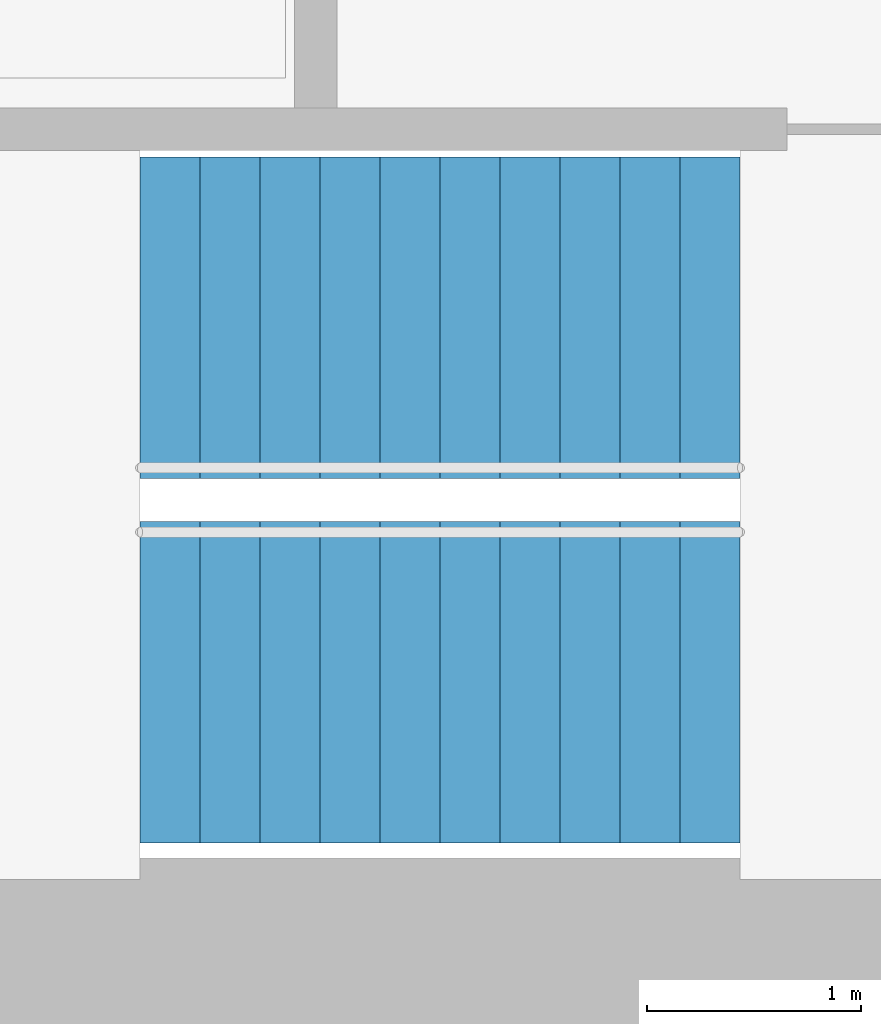
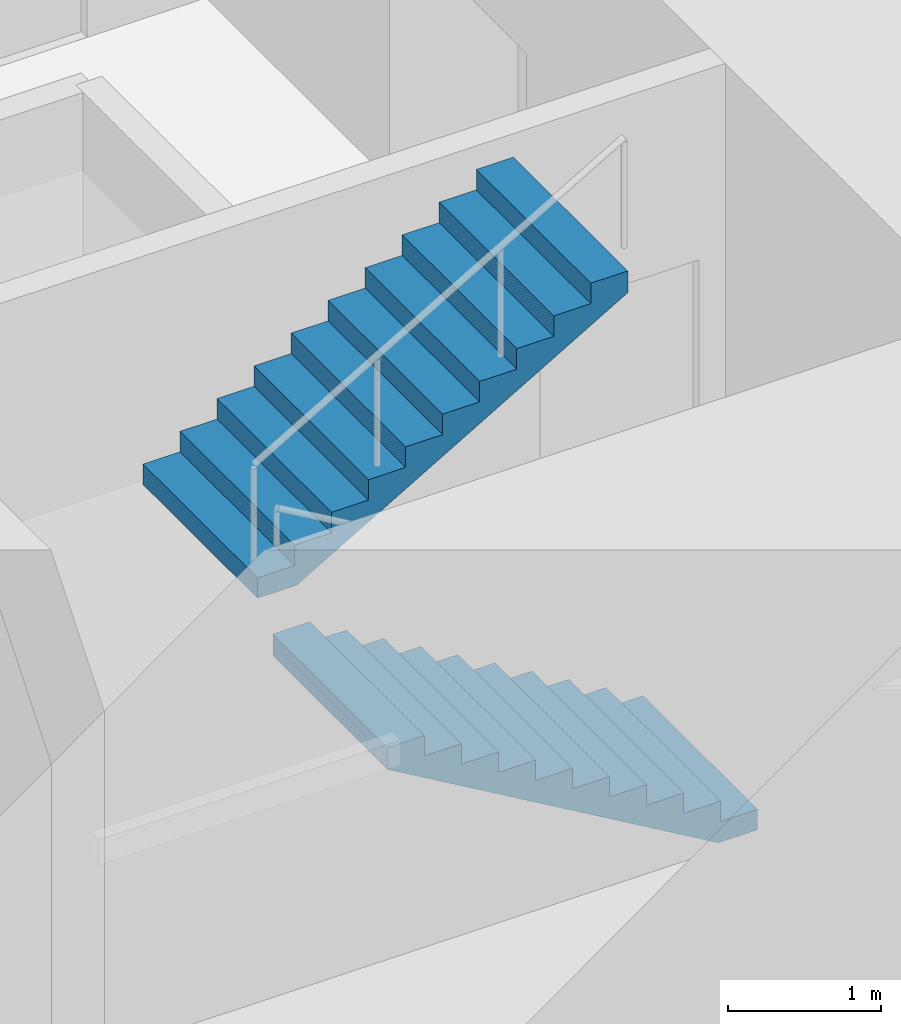
# One storey, part 14 of 15: 2 stair flights, 1 element without a shape of its own.
"""IFC4 building model written with IfcOpenShell, lengths in metres."""

from ifc_helpers import new_model, si_unit, direction, frame, origin, place, context, subcontext, project, spatial, triangles, material, type_object, element, aggregate, save


model = new_model("IFC4")

# Units and contexts
model_context = context("Model", 3, precision=1e-05, world=origin(), true_north=direction((0.0, 1.0)))
body_context = subcontext(model_context, "Body", "Model", "MODEL_VIEW")
ifc_project = project(units=[si_unit("LENGTHUNIT", "METRE"), si_unit("AREAUNIT", "SQUARE_METRE"), si_unit("VOLUMEUNIT", "CUBIC_METRE"), si_unit("PLANEANGLEUNIT", "RADIAN"), si_unit("MASSUNIT", "GRAM", prefix="KILO")], contexts=[model_context])

# Site, building, storey
site_placement = place(None, origin())
site = spatial("IfcSite", under=ifc_project, at=site_placement, CompositionType="ELEMENT")
building_placement = place(site_placement, origin())
building = spatial("IfcBuilding", under=site, at=building_placement, Name="Lantaw Convention Tower", CompositionType="ELEMENT")
storey_placement = place(building_placement, frame((0.0, 0.0, 91.0)))
storey = spatial("IfcBuildingStorey", under=building, at=storey_placement, Name="L21", CompositionType="ELEMENT", Elevation=91.0)

# Stair, stair flights
ifc_material = material(Name="Concrete C35/45", Category="concrete")
stair_type = type_object("IfcStairType", Name="Exit stair 1500 riser 163.64 in 2 flights", PredefinedType="HALF_TURN_STAIR", material=ifc_material)
stair_placement = place(storey_placement, origin())
stair = element("IfcStair", 1, at=stair_placement, inside=storey, type_object=stair_type, Name="Exit stair S2 L21", PredefinedType="HALF_TURN_STAIR")
stair_flight_type = type_object("IfcStairFlightType", Name="Stair flight 1500 riser 163.64", PredefinedType="STRAIGHT", material=ifc_material)
stair_flight_1_placement = place(storey_placement, frame((10.580078125, -5.97998046875, 0.0), z_axis=(0.0, 0.0, 1.0), x_axis=(-1.0, 0.0, 0.0)))
stair_flight_1 = element("IfcStairFlight", 2, at=stair_flight_1_placement, type_object=stair_flight_type, Name="S2 flight 1", NumberOfRisers=11, NumberOfTreads=10, PredefinedType="STRAIGHT", RiserHeight=0.163636364, TreadLength=0.28, context=body_context, shape_type="Tessellation", body=[
    triangles([(0.0, 0.75, 0.0), (0.0, 0.75, 0.163636364), (0.28, 0.75, 0.0), (0.28, 0.75, 0.163636364), (0.28, 0.75, 0.327272728), (0.2970904571225277, 0.75, 0.0), (0.2970904571225277, 0.75, 0.327272728), (0.56, 0.75, 0.1536484344906131), (0.56, 0.75, 0.327272728), (0.56, 0.75, 0.490909092), (0.8400000000000001, 0.75, 0.3172847984906131), (0.8400000000000001, 0.75, 0.490909092), (0.8400000000000001, 0.75, 0.654545456), (1.12, 0.75, 0.4809211624906131), (1.12, 0.75, 0.654545456), (1.12, 0.75, 0.8181818200000001), (1.4000000000000001, 0.75, 0.6445575264906132), (1.4000000000000001, 0.75, 0.8181818200000001), (1.4000000000000001, 0.75, 0.981818184), (1.6800000000000002, 0.75, 0.8081938904906131), (1.6800000000000002, 0.75, 0.981818184), (1.6800000000000002, 0.75, 1.145454548), (1.9600000000000002, 0.75, 0.9718302544906131), (1.9600000000000002, 0.75, 1.145454548), (1.9600000000000002, 0.75, 1.309090912), (2.24, 0.75, 1.135466618490613), (2.24, 0.75, 1.309090912), (2.24, 0.75, 1.472727276), (2.5200000000000005, 0.75, 1.2991029824906133), (2.5200000000000005, 0.75, 1.472727276), (2.5200000000000005, 0.75, 1.6363636400000001), (2.8000000000000003, 0.75, 1.462739346490613), (2.8000000000000003, 0.75, 1.6363636400000001), (0.0, -0.75, 0.0), (0.0, -0.75, 0.163636364), (0.28, -0.75, 0.0), (0.28, -0.75, 0.163636364), (0.28, -0.75, 0.327272728), (0.2970904571225277, -0.75, 0.0), (0.2970904571225277, -0.75, 0.327272728), (0.56, -0.75, 0.1536484344906131), (0.56, -0.75, 0.327272728), (0.56, -0.75, 0.490909092), (0.8400000000000001, -0.75, 0.3172847984906131), (0.8400000000000001, -0.75, 0.490909092), (0.8400000000000001, -0.75, 0.654545456), (1.12, -0.75, 0.4809211624906131), (1.12, -0.75, 0.654545456), (1.12, -0.75, 0.8181818200000001), (1.4000000000000001, -0.75, 0.6445575264906132), (1.4000000000000001, -0.75, 0.8181818200000001), (1.4000000000000001, -0.75, 0.981818184), (1.6800000000000002, -0.75, 0.8081938904906131), (1.6800000000000002, -0.75, 0.981818184), (1.6800000000000002, -0.75, 1.145454548), (1.9600000000000002, -0.75, 0.9718302544906131), (1.9600000000000002, -0.75, 1.145454548), (1.9600000000000002, -0.75, 1.309090912), (2.24, -0.75, 1.135466618490613), (2.24, -0.75, 1.309090912), (2.24, -0.75, 1.472727276), (2.5200000000000005, -0.75, 1.2991029824906133), (2.5200000000000005, -0.75, 1.472727276), (2.5200000000000005, -0.75, 1.6363636400000001), (2.8000000000000003, -0.75, 1.462739346490613), (2.8000000000000003, -0.75, 1.6363636400000001), (0.0, 0.15000000000000002, 0.163636364), (0.0, 0.15000000000000002, 0.0), (0.0, 0.0, 0.163636364), (0.0, 0.0, 0.0), (0.0, -0.15000000000000002, 0.163636364), (0.0, -0.15000000000000002, 0.0), (0.28, 0.15000000000000002, 0.327272728), (0.28, 0.15000000000000002, 0.163636364), (0.28, 0.0, 0.327272728), (0.28, 0.0, 0.163636364), (0.28, -0.15000000000000002, 0.327272728), (0.28, -0.15000000000000002, 0.163636364), (0.56, 0.15000000000000002, 0.490909092), (0.56, 0.15000000000000002, 0.327272728), (0.56, 0.0, 0.490909092), (0.56, 0.0, 0.327272728), (0.56, -0.15000000000000002, 0.490909092), (0.56, -0.15000000000000002, 0.327272728), (0.8400000000000001, 0.15000000000000002, 0.654545456), (0.8400000000000001, 0.15000000000000002, 0.490909092), (0.8400000000000001, 0.0, 0.654545456), (0.8400000000000001, 0.0, 0.490909092), (0.8400000000000001, -0.15000000000000002, 0.654545456), (0.8400000000000001, -0.15000000000000002, 0.490909092), (1.12, 0.15000000000000002, 0.8181818200000001), (1.12, 0.15000000000000002, 0.654545456), (1.12, 0.0, 0.8181818200000001), (1.12, 0.0, 0.654545456), (1.12, -0.15000000000000002, 0.8181818200000001), (1.12, -0.15000000000000002, 0.654545456), (1.4000000000000001, 0.15000000000000002, 0.981818184), (1.4000000000000001, 0.15000000000000002, 0.8181818200000001), (1.4000000000000001, 0.0, 0.981818184), (1.4000000000000001, 0.0, 0.8181818200000001), (1.4000000000000001, -0.15000000000000002, 0.981818184), (1.4000000000000001, -0.15000000000000002, 0.8181818200000001), (1.6800000000000002, 0.15000000000000002, 1.145454548), (1.6800000000000002, 0.15000000000000002, 0.981818184), (1.6800000000000002, 0.0, 1.145454548), (1.6800000000000002, 0.0, 0.981818184), (1.6800000000000002, -0.15000000000000002, 1.145454548), (1.6800000000000002, -0.15000000000000002, 0.981818184), (1.9600000000000002, 0.15000000000000002, 1.309090912), (1.9600000000000002, 0.15000000000000002, 1.145454548), (1.9600000000000002, 0.0, 1.309090912), (1.9600000000000002, 0.0, 1.145454548), (1.9600000000000002, -0.15000000000000002, 1.309090912), (1.9600000000000002, -0.15000000000000002, 1.145454548), (2.24, 0.15000000000000002, 1.472727276), (2.24, 0.15000000000000002, 1.309090912), (2.24, 0.0, 1.472727276), (2.24, 0.0, 1.309090912), (2.24, -0.15000000000000002, 1.472727276), (2.24, -0.15000000000000002, 1.309090912), (2.5200000000000005, 0.15000000000000002, 1.6363636400000001), (2.5200000000000005, 0.15000000000000002, 1.472727276), (2.5200000000000005, 0.0, 1.6363636400000001), (2.5200000000000005, 0.0, 1.472727276), (2.5200000000000005, -0.15000000000000002, 1.6363636400000001), (2.5200000000000005, -0.15000000000000002, 1.472727276), (0.2970904571225277, 0.15000000000000002, 0.327272728), (0.2970904571225277, 0.0, 0.327272728), (0.2970904571225277, -0.15000000000000002, 0.327272728), (2.8000000000000003, 0.15000000000000002, 1.6363636400000001), (2.8000000000000003, 0.0, 1.6363636400000001), (2.8000000000000003, -0.15000000000000002, 1.6363636400000001), (2.8000000000000003, 0.15000000000000002, 1.462739346490613), (2.8000000000000003, 0.0, 1.462739346490613), (2.8000000000000003, -0.15000000000000002, 1.462739346490613), (2.5200000000000005, 0.15000000000000002, 1.2991029824906133), (2.5200000000000005, 0.0, 1.2991029824906133), (2.5200000000000005, -0.15000000000000002, 1.2991029824906133), (2.24, 0.15000000000000002, 1.135466618490613), (2.24, 0.0, 1.135466618490613), (2.24, -0.15000000000000002, 1.135466618490613), (1.9600000000000002, 0.15000000000000002, 0.9718302544906131), (1.9600000000000002, 0.0, 0.9718302544906131), (1.9600000000000002, -0.15000000000000002, 0.9718302544906131), (1.6800000000000002, 0.15000000000000002, 0.8081938904906131), (1.6800000000000002, 0.0, 0.8081938904906131), (1.6800000000000002, -0.15000000000000002, 0.8081938904906131), (1.4000000000000001, 0.15000000000000002, 0.6445575264906132), (1.4000000000000001, 0.0, 0.6445575264906132), (1.4000000000000001, -0.15000000000000002, 0.6445575264906132), (1.12, 0.15000000000000002, 0.4809211624906131), (1.12, 0.0, 0.4809211624906131), (1.12, -0.15000000000000002, 0.4809211624906131), (0.8400000000000001, 0.15000000000000002, 0.3172847984906131), (0.8400000000000001, 0.0, 0.3172847984906131), (0.8400000000000001, -0.15000000000000002, 0.3172847984906131), (0.56, 0.15000000000000002, 0.1536484344906131), (0.56, 0.0, 0.1536484344906131), (0.56, -0.15000000000000002, 0.1536484344906131), (0.2970904571225277, 0.15000000000000002, 0.0), (0.2970904571225277, 0.0, 0.0), (0.2970904571225277, -0.15000000000000002, 0.0), (0.28, 0.15000000000000002, 0.0), (0.28, 0.0, 0.0), (0.28, -0.15000000000000002, 0.0)], [[1, 4, 3], [1, 2, 4], [3, 4, 6], [4, 7, 6], [4, 5, 7], [6, 9, 8], [6, 7, 9], [8, 9, 11], [9, 12, 11], [9, 10, 12], [11, 12, 14], [12, 15, 14], [12, 13, 15], [14, 15, 17], [15, 18, 17], [15, 16, 18], [17, 18, 20], [18, 21, 20], [18, 19, 21], [20, 21, 23], [21, 24, 23], [21, 22, 24], [23, 24, 26], [24, 27, 26], [24, 25, 27], [26, 27, 29], [27, 30, 29], [27, 28, 30], [29, 30, 32], [30, 33, 32], [30, 31, 33], [34, 36, 37], [34, 37, 35], [36, 39, 37], [37, 39, 40], [37, 40, 38], [39, 41, 42], [39, 42, 40], [41, 44, 42], [42, 44, 45], [42, 45, 43], [44, 47, 45], [45, 47, 48], [45, 48, 46], [47, 50, 48], [48, 50, 51], [48, 51, 49], [50, 53, 51], [51, 53, 54], [51, 54, 52], [53, 56, 54], [54, 56, 57], [54, 57, 55], [56, 59, 57], [57, 59, 60], [57, 60, 58], [59, 62, 60], [60, 62, 63], [60, 63, 61], [62, 65, 63], [63, 65, 66], [63, 66, 64], [1, 67, 2], [1, 68, 67], [68, 69, 67], [68, 70, 69], [70, 71, 69], [70, 72, 71], [72, 35, 71], [72, 34, 35], [4, 73, 5], [4, 74, 73], [74, 75, 73], [74, 76, 75], [76, 77, 75], [76, 78, 77], [78, 38, 77], [78, 37, 38], [9, 79, 10], [9, 80, 79], [80, 81, 79], [80, 82, 81], [82, 83, 81], [82, 84, 83], [84, 43, 83], [84, 42, 43], [12, 85, 13], [12, 86, 85], [86, 87, 85], [86, 88, 87], [88, 89, 87], [88, 90, 89], [90, 46, 89], [90, 45, 46], [15, 91, 16], [15, 92, 91], [92, 93, 91], [92, 94, 93], [94, 95, 93], [94, 96, 95], [96, 49, 95], [96, 48, 49], [18, 97, 19], [18, 98, 97], [98, 99, 97], [98, 100, 99], [100, 101, 99], [100, 102, 101], [102, 52, 101], [102, 51, 52], [21, 103, 22], [21, 104, 103], [104, 105, 103], [104, 106, 105], [106, 107, 105], [106, 108, 107], [108, 55, 107], [108, 54, 55], [24, 109, 25], [24, 110, 109], [110, 111, 109], [110, 112, 111], [112, 113, 111], [112, 114, 113], [114, 58, 113], [114, 57, 58], [27, 115, 28], [27, 116, 115], [116, 117, 115], [116, 118, 117], [118, 119, 117], [118, 120, 119], [120, 61, 119], [120, 60, 61], [30, 121, 31], [30, 122, 121], [122, 123, 121], [122, 124, 123], [124, 125, 123], [124, 126, 125], [126, 64, 125], [126, 63, 64], [2, 74, 4], [2, 67, 74], [67, 76, 74], [67, 69, 76], [69, 78, 76], [69, 71, 78], [71, 37, 78], [71, 35, 37], [5, 127, 7], [5, 73, 127], [73, 128, 127], [73, 75, 128], [75, 129, 128], [75, 77, 129], [77, 40, 129], [77, 38, 40], [7, 80, 9], [7, 127, 80], [127, 82, 80], [127, 128, 82], [128, 84, 82], [128, 129, 84], [129, 42, 84], [129, 40, 42], [10, 86, 12], [10, 79, 86], [79, 88, 86], [79, 81, 88], [81, 90, 88], [81, 83, 90], [83, 45, 90], [83, 43, 45], [13, 92, 15], [13, 85, 92], [85, 94, 92], [85, 87, 94], [87, 96, 94], [87, 89, 96], [89, 48, 96], [89, 46, 48], [16, 98, 18], [16, 91, 98], [91, 100, 98], [91, 93, 100], [93, 102, 100], [93, 95, 102], [95, 51, 102], [95, 49, 51], [19, 104, 21], [19, 97, 104], [97, 106, 104], [97, 99, 106], [99, 108, 106], [99, 101, 108], [101, 54, 108], [101, 52, 54], [22, 110, 24], [22, 103, 110], [103, 112, 110], [103, 105, 112], [105, 114, 112], [105, 107, 114], [107, 57, 114], [107, 55, 57], [25, 116, 27], [25, 109, 116], [109, 118, 116], [109, 111, 118], [111, 120, 118], [111, 113, 120], [113, 60, 120], [113, 58, 60], [28, 122, 30], [28, 115, 122], [115, 124, 122], [115, 117, 124], [117, 126, 124], [117, 119, 126], [119, 63, 126], [119, 61, 63], [31, 130, 33], [31, 121, 130], [121, 131, 130], [121, 123, 131], [123, 132, 131], [123, 125, 132], [125, 66, 132], [125, 64, 66], [33, 133, 32], [33, 130, 133], [130, 134, 133], [130, 131, 134], [131, 135, 134], [131, 132, 135], [132, 65, 135], [132, 66, 65], [32, 136, 29], [32, 133, 136], [133, 137, 136], [133, 134, 137], [134, 138, 137], [134, 135, 138], [135, 62, 138], [135, 65, 62], [29, 139, 26], [29, 136, 139], [136, 140, 139], [136, 137, 140], [137, 141, 140], [137, 138, 141], [138, 59, 141], [138, 62, 59], [26, 142, 23], [26, 139, 142], [139, 143, 142], [139, 140, 143], [140, 144, 143], [140, 141, 144], [141, 56, 144], [141, 59, 56], [23, 145, 20], [23, 142, 145], [142, 146, 145], [142, 143, 146], [143, 147, 146], [143, 144, 147], [144, 53, 147], [144, 56, 53], [20, 148, 17], [20, 145, 148], [145, 149, 148], [145, 146, 149], [146, 150, 149], [146, 147, 150], [147, 50, 150], [147, 53, 50], [17, 151, 14], [17, 148, 151], [148, 152, 151], [148, 149, 152], [149, 153, 152], [149, 150, 153], [150, 47, 153], [150, 50, 47], [14, 154, 11], [14, 151, 154], [151, 155, 154], [151, 152, 155], [152, 156, 155], [152, 153, 156], [153, 44, 156], [153, 47, 44], [11, 157, 8], [11, 154, 157], [154, 158, 157], [154, 155, 158], [155, 159, 158], [155, 156, 159], [156, 41, 159], [156, 44, 41], [8, 160, 6], [8, 157, 160], [157, 161, 160], [157, 158, 161], [158, 162, 161], [158, 159, 162], [159, 39, 162], [159, 41, 39], [6, 163, 3], [6, 160, 163], [160, 164, 163], [160, 161, 164], [161, 165, 164], [161, 162, 165], [162, 36, 165], [162, 39, 36], [3, 68, 1], [3, 163, 68], [163, 70, 68], [163, 164, 70], [164, 72, 70], [164, 165, 72], [165, 34, 72], [165, 36, 34]], closed=True),
])
stair_flight_2_placement = place(storey_placement, frame((7.780029296875, -4.280029296875, 1.800048828125), z_axis=(0.0, 0.0, 1.0), x_axis=(1.0, 0.0, 0.0)))
stair_flight_2 = element("IfcStairFlight", 3, at=stair_flight_2_placement, type_object=stair_flight_type, Name="S2 flight 2", NumberOfRisers=11, NumberOfTreads=10, PredefinedType="STRAIGHT", RiserHeight=0.163636364, TreadLength=0.28, context=body_context, shape_type="Tessellation", body=[
    triangles([(0.0, 0.75, 0.0), (0.0, 0.75, 0.163636364), (0.28, 0.75, 0.0), (0.28, 0.75, 0.163636364), (0.28, 0.75, 0.327272728), (0.2970904571225277, 0.75, 0.0), (0.2970904571225277, 0.75, 0.327272728), (0.56, 0.75, 0.1536484344906131), (0.56, 0.75, 0.327272728), (0.56, 0.75, 0.490909092), (0.8400000000000001, 0.75, 0.3172847984906131), (0.8400000000000001, 0.75, 0.490909092), (0.8400000000000001, 0.75, 0.654545456), (1.12, 0.75, 0.4809211624906131), (1.12, 0.75, 0.654545456), (1.12, 0.75, 0.8181818200000001), (1.4000000000000001, 0.75, 0.6445575264906132), (1.4000000000000001, 0.75, 0.8181818200000001), (1.4000000000000001, 0.75, 0.981818184), (1.6800000000000002, 0.75, 0.8081938904906131), (1.6800000000000002, 0.75, 0.981818184), (1.6800000000000002, 0.75, 1.145454548), (1.9600000000000002, 0.75, 0.9718302544906131), (1.9600000000000002, 0.75, 1.145454548), (1.9600000000000002, 0.75, 1.309090912), (2.24, 0.75, 1.135466618490613), (2.24, 0.75, 1.309090912), (2.24, 0.75, 1.472727276), (2.5200000000000005, 0.75, 1.2991029824906133), (2.5200000000000005, 0.75, 1.472727276), (2.5200000000000005, 0.75, 1.6363636400000001), (2.8000000000000003, 0.75, 1.462739346490613), (2.8000000000000003, 0.75, 1.6363636400000001), (0.0, -0.75, 0.0), (0.0, -0.75, 0.163636364), (0.28, -0.75, 0.0), (0.28, -0.75, 0.163636364), (0.28, -0.75, 0.327272728), (0.2970904571225277, -0.75, 0.0), (0.2970904571225277, -0.75, 0.327272728), (0.56, -0.75, 0.1536484344906131), (0.56, -0.75, 0.327272728), (0.56, -0.75, 0.490909092), (0.8400000000000001, -0.75, 0.3172847984906131), (0.8400000000000001, -0.75, 0.490909092), (0.8400000000000001, -0.75, 0.654545456), (1.12, -0.75, 0.4809211624906131), (1.12, -0.75, 0.654545456), (1.12, -0.75, 0.8181818200000001), (1.4000000000000001, -0.75, 0.6445575264906132), (1.4000000000000001, -0.75, 0.8181818200000001), (1.4000000000000001, -0.75, 0.981818184), (1.6800000000000002, -0.75, 0.8081938904906131), (1.6800000000000002, -0.75, 0.981818184), (1.6800000000000002, -0.75, 1.145454548), (1.9600000000000002, -0.75, 0.9718302544906131), (1.9600000000000002, -0.75, 1.145454548), (1.9600000000000002, -0.75, 1.309090912), (2.24, -0.75, 1.135466618490613), (2.24, -0.75, 1.309090912), (2.24, -0.75, 1.472727276), (2.5200000000000005, -0.75, 1.2991029824906133), (2.5200000000000005, -0.75, 1.472727276), (2.5200000000000005, -0.75, 1.6363636400000001), (2.8000000000000003, -0.75, 1.462739346490613), (2.8000000000000003, -0.75, 1.6363636400000001), (0.0, 0.15000000000000002, 0.163636364), (0.0, 0.15000000000000002, 0.0), (0.0, 0.0, 0.163636364), (0.0, 0.0, 0.0), (0.0, -0.15000000000000002, 0.163636364), (0.0, -0.15000000000000002, 0.0), (0.28, 0.15000000000000002, 0.327272728), (0.28, 0.15000000000000002, 0.163636364), (0.28, 0.0, 0.327272728), (0.28, 0.0, 0.163636364), (0.28, -0.15000000000000002, 0.327272728), (0.28, -0.15000000000000002, 0.163636364), (0.56, 0.15000000000000002, 0.490909092), (0.56, 0.15000000000000002, 0.327272728), (0.56, 0.0, 0.490909092), (0.56, 0.0, 0.327272728), (0.56, -0.15000000000000002, 0.490909092), (0.56, -0.15000000000000002, 0.327272728), (0.8400000000000001, 0.15000000000000002, 0.654545456), (0.8400000000000001, 0.15000000000000002, 0.490909092), (0.8400000000000001, 0.0, 0.654545456), (0.8400000000000001, 0.0, 0.490909092), (0.8400000000000001, -0.15000000000000002, 0.654545456), (0.8400000000000001, -0.15000000000000002, 0.490909092), (1.12, 0.15000000000000002, 0.8181818200000001), (1.12, 0.15000000000000002, 0.654545456), (1.12, 0.0, 0.8181818200000001), (1.12, 0.0, 0.654545456), (1.12, -0.15000000000000002, 0.8181818200000001), (1.12, -0.15000000000000002, 0.654545456), (1.4000000000000001, 0.15000000000000002, 0.981818184), (1.4000000000000001, 0.15000000000000002, 0.8181818200000001), (1.4000000000000001, 0.0, 0.981818184), (1.4000000000000001, 0.0, 0.8181818200000001), (1.4000000000000001, -0.15000000000000002, 0.981818184), (1.4000000000000001, -0.15000000000000002, 0.8181818200000001), (1.6800000000000002, 0.15000000000000002, 1.145454548), (1.6800000000000002, 0.15000000000000002, 0.981818184), (1.6800000000000002, 0.0, 1.145454548), (1.6800000000000002, 0.0, 0.981818184), (1.6800000000000002, -0.15000000000000002, 1.145454548), (1.6800000000000002, -0.15000000000000002, 0.981818184), (1.9600000000000002, 0.15000000000000002, 1.309090912), (1.9600000000000002, 0.15000000000000002, 1.145454548), (1.9600000000000002, 0.0, 1.309090912), (1.9600000000000002, 0.0, 1.145454548), (1.9600000000000002, -0.15000000000000002, 1.309090912), (1.9600000000000002, -0.15000000000000002, 1.145454548), (2.24, 0.15000000000000002, 1.472727276), (2.24, 0.15000000000000002, 1.309090912), (2.24, 0.0, 1.472727276), (2.24, 0.0, 1.309090912), (2.24, -0.15000000000000002, 1.472727276), (2.24, -0.15000000000000002, 1.309090912), (2.5200000000000005, 0.15000000000000002, 1.6363636400000001), (2.5200000000000005, 0.15000000000000002, 1.472727276), (2.5200000000000005, 0.0, 1.6363636400000001), (2.5200000000000005, 0.0, 1.472727276), (2.5200000000000005, -0.15000000000000002, 1.6363636400000001), (2.5200000000000005, -0.15000000000000002, 1.472727276), (0.2970904571225277, 0.15000000000000002, 0.327272728), (0.2970904571225277, 0.0, 0.327272728), (0.2970904571225277, -0.15000000000000002, 0.327272728), (2.8000000000000003, 0.15000000000000002, 1.6363636400000001), (2.8000000000000003, 0.0, 1.6363636400000001), (2.8000000000000003, -0.15000000000000002, 1.6363636400000001), (2.8000000000000003, 0.15000000000000002, 1.462739346490613), (2.8000000000000003, 0.0, 1.462739346490613), (2.8000000000000003, -0.15000000000000002, 1.462739346490613), (2.5200000000000005, 0.15000000000000002, 1.2991029824906133), (2.5200000000000005, 0.0, 1.2991029824906133), (2.5200000000000005, -0.15000000000000002, 1.2991029824906133), (2.24, 0.15000000000000002, 1.135466618490613), (2.24, 0.0, 1.135466618490613), (2.24, -0.15000000000000002, 1.135466618490613), (1.9600000000000002, 0.15000000000000002, 0.9718302544906131), (1.9600000000000002, 0.0, 0.9718302544906131), (1.9600000000000002, -0.15000000000000002, 0.9718302544906131), (1.6800000000000002, 0.15000000000000002, 0.8081938904906131), (1.6800000000000002, 0.0, 0.8081938904906131), (1.6800000000000002, -0.15000000000000002, 0.8081938904906131), (1.4000000000000001, 0.15000000000000002, 0.6445575264906132), (1.4000000000000001, 0.0, 0.6445575264906132), (1.4000000000000001, -0.15000000000000002, 0.6445575264906132), (1.12, 0.15000000000000002, 0.4809211624906131), (1.12, 0.0, 0.4809211624906131), (1.12, -0.15000000000000002, 0.4809211624906131), (0.8400000000000001, 0.15000000000000002, 0.3172847984906131), (0.8400000000000001, 0.0, 0.3172847984906131), (0.8400000000000001, -0.15000000000000002, 0.3172847984906131), (0.56, 0.15000000000000002, 0.1536484344906131), (0.56, 0.0, 0.1536484344906131), (0.56, -0.15000000000000002, 0.1536484344906131), (0.2970904571225277, 0.15000000000000002, 0.0), (0.2970904571225277, 0.0, 0.0), (0.2970904571225277, -0.15000000000000002, 0.0), (0.28, 0.15000000000000002, 0.0), (0.28, 0.0, 0.0), (0.28, -0.15000000000000002, 0.0)], [[1, 4, 3], [1, 2, 4], [3, 4, 6], [4, 7, 6], [4, 5, 7], [6, 9, 8], [6, 7, 9], [8, 9, 11], [9, 12, 11], [9, 10, 12], [11, 12, 14], [12, 15, 14], [12, 13, 15], [14, 15, 17], [15, 18, 17], [15, 16, 18], [17, 18, 20], [18, 21, 20], [18, 19, 21], [20, 21, 23], [21, 24, 23], [21, 22, 24], [23, 24, 26], [24, 27, 26], [24, 25, 27], [26, 27, 29], [27, 30, 29], [27, 28, 30], [29, 30, 32], [30, 33, 32], [30, 31, 33], [34, 36, 37], [34, 37, 35], [36, 39, 37], [37, 39, 40], [37, 40, 38], [39, 41, 42], [39, 42, 40], [41, 44, 42], [42, 44, 45], [42, 45, 43], [44, 47, 45], [45, 47, 48], [45, 48, 46], [47, 50, 48], [48, 50, 51], [48, 51, 49], [50, 53, 51], [51, 53, 54], [51, 54, 52], [53, 56, 54], [54, 56, 57], [54, 57, 55], [56, 59, 57], [57, 59, 60], [57, 60, 58], [59, 62, 60], [60, 62, 63], [60, 63, 61], [62, 65, 63], [63, 65, 66], [63, 66, 64], [1, 67, 2], [1, 68, 67], [68, 69, 67], [68, 70, 69], [70, 71, 69], [70, 72, 71], [72, 35, 71], [72, 34, 35], [4, 73, 5], [4, 74, 73], [74, 75, 73], [74, 76, 75], [76, 77, 75], [76, 78, 77], [78, 38, 77], [78, 37, 38], [9, 79, 10], [9, 80, 79], [80, 81, 79], [80, 82, 81], [82, 83, 81], [82, 84, 83], [84, 43, 83], [84, 42, 43], [12, 85, 13], [12, 86, 85], [86, 87, 85], [86, 88, 87], [88, 89, 87], [88, 90, 89], [90, 46, 89], [90, 45, 46], [15, 91, 16], [15, 92, 91], [92, 93, 91], [92, 94, 93], [94, 95, 93], [94, 96, 95], [96, 49, 95], [96, 48, 49], [18, 97, 19], [18, 98, 97], [98, 99, 97], [98, 100, 99], [100, 101, 99], [100, 102, 101], [102, 52, 101], [102, 51, 52], [21, 103, 22], [21, 104, 103], [104, 105, 103], [104, 106, 105], [106, 107, 105], [106, 108, 107], [108, 55, 107], [108, 54, 55], [24, 109, 25], [24, 110, 109], [110, 111, 109], [110, 112, 111], [112, 113, 111], [112, 114, 113], [114, 58, 113], [114, 57, 58], [27, 115, 28], [27, 116, 115], [116, 117, 115], [116, 118, 117], [118, 119, 117], [118, 120, 119], [120, 61, 119], [120, 60, 61], [30, 121, 31], [30, 122, 121], [122, 123, 121], [122, 124, 123], [124, 125, 123], [124, 126, 125], [126, 64, 125], [126, 63, 64], [2, 74, 4], [2, 67, 74], [67, 76, 74], [67, 69, 76], [69, 78, 76], [69, 71, 78], [71, 37, 78], [71, 35, 37], [5, 127, 7], [5, 73, 127], [73, 128, 127], [73, 75, 128], [75, 129, 128], [75, 77, 129], [77, 40, 129], [77, 38, 40], [7, 80, 9], [7, 127, 80], [127, 82, 80], [127, 128, 82], [128, 84, 82], [128, 129, 84], [129, 42, 84], [129, 40, 42], [10, 86, 12], [10, 79, 86], [79, 88, 86], [79, 81, 88], [81, 90, 88], [81, 83, 90], [83, 45, 90], [83, 43, 45], [13, 92, 15], [13, 85, 92], [85, 94, 92], [85, 87, 94], [87, 96, 94], [87, 89, 96], [89, 48, 96], [89, 46, 48], [16, 98, 18], [16, 91, 98], [91, 100, 98], [91, 93, 100], [93, 102, 100], [93, 95, 102], [95, 51, 102], [95, 49, 51], [19, 104, 21], [19, 97, 104], [97, 106, 104], [97, 99, 106], [99, 108, 106], [99, 101, 108], [101, 54, 108], [101, 52, 54], [22, 110, 24], [22, 103, 110], [103, 112, 110], [103, 105, 112], [105, 114, 112], [105, 107, 114], [107, 57, 114], [107, 55, 57], [25, 116, 27], [25, 109, 116], [109, 118, 116], [109, 111, 118], [111, 120, 118], [111, 113, 120], [113, 60, 120], [113, 58, 60], [28, 122, 30], [28, 115, 122], [115, 124, 122], [115, 117, 124], [117, 126, 124], [117, 119, 126], [119, 63, 126], [119, 61, 63], [31, 130, 33], [31, 121, 130], [121, 131, 130], [121, 123, 131], [123, 132, 131], [123, 125, 132], [125, 66, 132], [125, 64, 66], [33, 133, 32], [33, 130, 133], [130, 134, 133], [130, 131, 134], [131, 135, 134], [131, 132, 135], [132, 65, 135], [132, 66, 65], [32, 136, 29], [32, 133, 136], [133, 137, 136], [133, 134, 137], [134, 138, 137], [134, 135, 138], [135, 62, 138], [135, 65, 62], [29, 139, 26], [29, 136, 139], [136, 140, 139], [136, 137, 140], [137, 141, 140], [137, 138, 141], [138, 59, 141], [138, 62, 59], [26, 142, 23], [26, 139, 142], [139, 143, 142], [139, 140, 143], [140, 144, 143], [140, 141, 144], [141, 56, 144], [141, 59, 56], [23, 145, 20], [23, 142, 145], [142, 146, 145], [142, 143, 146], [143, 147, 146], [143, 144, 147], [144, 53, 147], [144, 56, 53], [20, 148, 17], [20, 145, 148], [145, 149, 148], [145, 146, 149], [146, 150, 149], [146, 147, 150], [147, 50, 150], [147, 53, 50], [17, 151, 14], [17, 148, 151], [148, 152, 151], [148, 149, 152], [149, 153, 152], [149, 150, 153], [150, 47, 153], [150, 50, 47], [14, 154, 11], [14, 151, 154], [151, 155, 154], [151, 152, 155], [152, 156, 155], [152, 153, 156], [153, 44, 156], [153, 47, 44], [11, 157, 8], [11, 154, 157], [154, 158, 157], [154, 155, 158], [155, 159, 158], [155, 156, 159], [156, 41, 159], [156, 44, 41], [8, 160, 6], [8, 157, 160], [157, 161, 160], [157, 158, 161], [158, 162, 161], [158, 159, 162], [159, 39, 162], [159, 41, 39], [6, 163, 3], [6, 160, 163], [160, 164, 163], [160, 161, 164], [161, 165, 164], [161, 162, 165], [162, 36, 165], [162, 39, 36], [3, 68, 1], [3, 163, 68], [163, 70, 68], [163, 164, 70], [164, 72, 70], [164, 165, 72], [165, 34, 72], [165, 36, 34]], closed=True),
])
aggregate(stair, [stair_flight_1, stair_flight_2])

save(model, "model.ifc")
